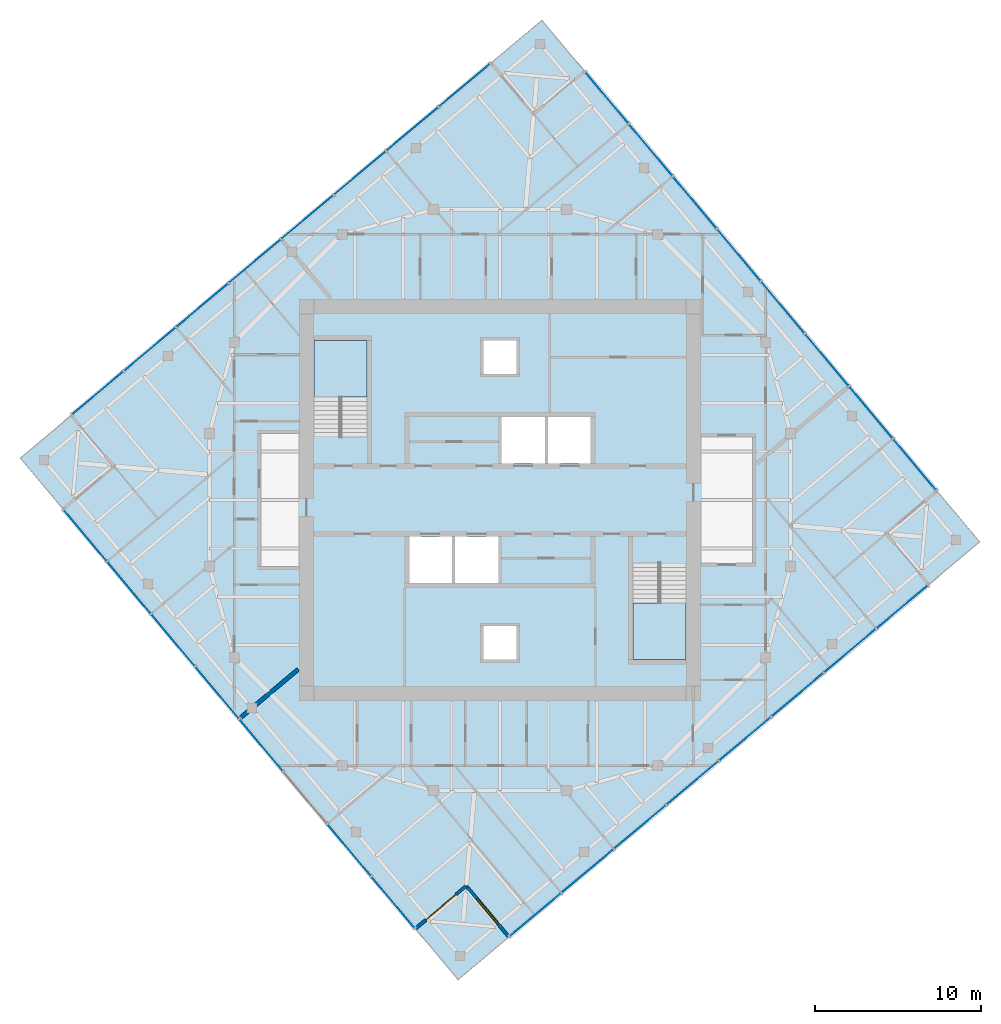
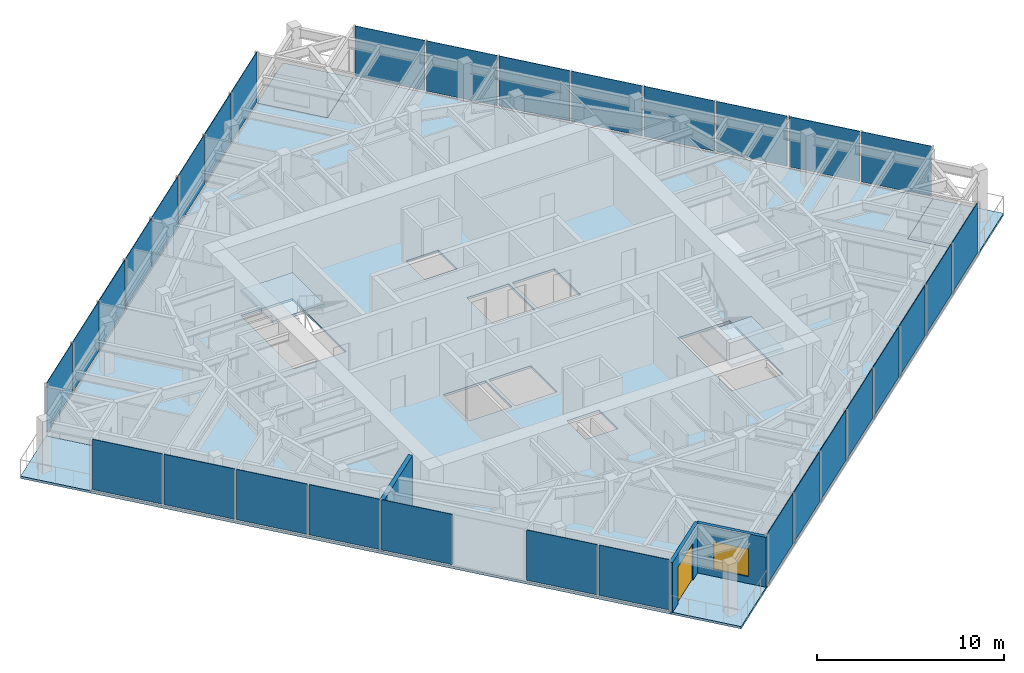
# One storey, part 6 of 12: 31 plates, 7 slabs, 3 walls, 1 door, 1 window, 2 openings, 6 elements without a shape of their own.
"""IFC4 building model written with IfcOpenShell, lengths in metres."""

from ifc_helpers import new_model, si_unit, direction, frame, frame_2d, origin, origin_2d, place, context, subcontext, project, spatial, polyline, rectangle, outline, extrude, material, layer, layer_set, type_object, element, fill, aggregate, save


model = new_model("IFC4")

# Units and contexts
model_context = context("Model", 3, precision=1e-05, world=origin(), true_north=direction((0.0, 1.0)))
body_context = subcontext(model_context, "Body", "Model", "MODEL_VIEW")
ifc_project = project(units=[si_unit("LENGTHUNIT", "METRE"), si_unit("AREAUNIT", "SQUARE_METRE"), si_unit("VOLUMEUNIT", "CUBIC_METRE"), si_unit("PLANEANGLEUNIT", "RADIAN"), si_unit("MASSUNIT", "GRAM", prefix="KILO")], contexts=[model_context])

# Site, building, storey
site_placement = place(None, origin())
site = spatial("IfcSite", under=ifc_project, at=site_placement, CompositionType="ELEMENT")
building_placement = place(site_placement, origin())
building = spatial("IfcBuilding", under=site, at=building_placement, Name="Torsade Residences", CompositionType="ELEMENT")
storey_placement = place(building_placement, frame((0.0, 0.0, 286.199951171875)))
storey = spatial("IfcBuildingStorey", under=building, at=storey_placement, Name="L79", CompositionType="ELEMENT", Elevation=286.199951171875)

# Slab
ifc_material_1 = material(Name="Concrete 40 MPa", Category="concrete")
ifc_layer_1 = layer(ifc_material_1, 0.14990234375)
ifc_layer_set_1 = layer_set([ifc_layer_1], Name="Concrete 40 MPa")
slab_type_1 = type_object("IfcSlabType", Name="COMPOSITE FLOOR SLAB 150", PredefinedType="FLOOR", material=ifc_layer_set_1)
slab_1_placement = place(storey_placement, frame((0.0, 0.0, -0.14990234375)))
element("IfcSlab", 1, at=slab_1_placement, inside=storey, type_object=slab_type_1, Name="Floor slab L79", PredefinedType="FLOOR", context=body_context, shape_type="SweptSolid", body=[
    extrude(outline(polyline([(40.537353515625, 3.690185546875), (65.81689453125, 24.902099609375), (63.245849609375, 27.96630859375), (66.309814453125, 30.537353515625), (45.097900390625, 55.81689453125), (42.03369140625, 53.245849609375), (39.462646484375, 56.309814453125), (14.18310546875, 35.097900390625), (16.754150390625, 32.03369140625), (13.690185546875, 29.462646484375), (34.902099609375, 4.18310546875), (37.96630859375, 6.754150390625), (40.537353515625, 3.690185546875)]), holes=[polyline([(51.199951171875, 26.1201171875), (48.0, 26.1201171875), (48.0, 20.39990234375), (51.199951171875, 20.39990234375), (51.199951171875, 26.1201171875)]), polyline([(45.5, 35.0), (42.89990234375, 35.0), (42.89990234375, 32.199951171875), (45.5, 32.199951171875), (45.5, 35.0)]), polyline([(42.699951171875, 35.0), (40.10009765625, 35.0), (40.10009765625, 32.199951171875), (42.699951171875, 32.199951171875), (42.699951171875, 35.0)]), polyline([(41.0, 22.39990234375), (39.0, 22.39990234375), (39.0, 20.39990234375), (41.0, 20.39990234375), (41.0, 22.39990234375)]), polyline([(41.0, 39.60009765625), (39.0, 39.60009765625), (39.0, 37.60009765625), (41.0, 37.60009765625), (41.0, 39.60009765625)]), polyline([(39.89990234375, 27.800048828125), (37.300048828125, 27.800048828125), (37.300048828125, 25.0), (39.89990234375, 25.0), (39.89990234375, 27.800048828125)]), polyline([(37.10009765625, 27.800048828125), (34.5, 27.800048828125), (34.5, 25.0), (37.10009765625, 25.0), (37.10009765625, 27.800048828125)]), polyline([(32.0, 39.60009765625), (28.800048828125, 39.60009765625), (28.800048828125, 33.8798828125), (32.0, 33.8798828125), (32.0, 39.60009765625)])]), origin(), (0.0, 0.0, 1.0), 0.14990234375),
])

# Curtain wall, plates
ifc_material_2 = material(Name="Aluminium and glass", Category="aluminium")
curtain_wall_type = type_object("IfcCurtainWallType", Name="FRITTED GLASS CURTAIN WALL HIGH ZONE", PredefinedType="NOTDEFINED", material=ifc_material_2)
curtain_wall_1_placement = place(storey_placement, origin())
curtain_wall_1 = element("IfcCurtainWall", 2, at=curtain_wall_1_placement, inside=storey, type_object=curtain_wall_type, Name="Curtain wall L79 face 1", PredefinedType="NOTDEFINED")
ifc_material_3 = material(Name="Laminated glass", Category="glass")
ifc_layer_2 = layer(ifc_material_3, 0.031982421875)
ifc_layer_set_2 = layer_set([ifc_layer_2], Name="Laminated glass")
plate_type_1 = type_object("IfcPlateType", Name="FRITTED GLASS PANEL", PredefinedType="CURTAIN_PANEL", material=ifc_layer_set_2)
plate_1_placement = place(storey_placement, frame((42.136474609375, 5.031982421875, 0.1201171875), z_axis=(0.0, 0.0, 1.0), x_axis=(0.766044437106, 0.642787616853, 0.0)))
plate_1 = element("IfcPlate", 3, at=plate_1_placement, type_object=plate_type_1, Name="Panel 1", PredefinedType="CURTAIN_PANEL", context=body_context, shape_type="SweptSolid", body=[
    extrude(rectangle(XDim=3.97509765625, YDim=0.031982421875, at=origin_2d()), origin(), (0.0, 0.0, 1.0), 3.280029296875),
])
plate_2_placement = place(storey_placement, frame((48.437255859375, 10.31884765625, 0.1201171875), z_axis=(0.0, 0.0, 1.0), x_axis=(0.766044437106, 0.642787616853, 0.0)))
plate_2 = element("IfcPlate", 4, at=plate_2_placement, type_object=plate_type_1, Name="Panel 3", PredefinedType="CURTAIN_PANEL", context=body_context, shape_type="SweptSolid", body=[
    extrude(rectangle(XDim=4.02490234375, YDim=0.031982421875, at=origin_2d()), origin(), (0.0, 0.0, 1.0), 3.280029296875),
])
plate_3_placement = place(storey_placement, frame((51.59716796875, 12.970458984375, 0.1201171875), z_axis=(0.0, 0.0, 1.0), x_axis=(0.766044437106, 0.642787616853, 0.0)))
plate_3 = element("IfcPlate", 5, at=plate_3_placement, type_object=plate_type_1, Name="Panel 4", PredefinedType="CURTAIN_PANEL", context=body_context, shape_type="SweptSolid", body=[
    extrude(rectangle(XDim=4.02490234375, YDim=0.031982421875, at=origin_2d()), origin(), (0.0, 0.0, 1.0), 3.280029296875),
])
plate_4_placement = place(storey_placement, frame((54.757080078125, 15.621826171875, 0.1201171875), z_axis=(0.0, 0.0, 1.0), x_axis=(0.766044437106, 0.642787616853, 0.0)))
plate_4 = element("IfcPlate", 6, at=plate_4_placement, type_object=plate_type_1, Name="Panel 5", PredefinedType="CURTAIN_PANEL", context=body_context, shape_type="SweptSolid", body=[
    extrude(rectangle(XDim=4.02490234375, YDim=0.031982421875, at=origin_2d()), origin(), (0.0, 0.0, 1.0), 3.280029296875),
])
plate_5_placement = place(storey_placement, frame((61.076904296875, 20.9248046875, 0.1201171875), z_axis=(0.0, 0.0, 1.0), x_axis=(0.766044437106, 0.642787616853, 0.0)))
plate_5 = element("IfcPlate", 7, at=plate_5_placement, type_object=plate_type_1, Name="Panel 7", PredefinedType="CURTAIN_PANEL", context=body_context, shape_type="SweptSolid", body=[
    extrude(rectangle(XDim=4.02490234375, YDim=0.031982421875, at=origin_2d()), origin(), (0.0, 0.0, 1.0), 3.280029296875),
])
plate_6_placement = place(storey_placement, frame((64.2177734375, 23.560302734375, 0.1201171875), z_axis=(0.0, 0.0, 1.0), x_axis=(0.766044437106, 0.642787616853, 0.0)))
plate_6 = element("IfcPlate", 8, at=plate_6_placement, type_object=plate_type_1, Name="Panel 8", PredefinedType="CURTAIN_PANEL", context=body_context, shape_type="SweptSolid", body=[
    extrude(rectangle(XDim=3.97509765625, YDim=0.031982421875, at=origin_2d()), origin(), (0.0, 0.0, 1.0), 3.280029296875),
])

curtain_wall_2_placement = place(storey_placement, origin())
curtain_wall_2 = element("IfcCurtainWall", 9, at=curtain_wall_2_placement, inside=storey, type_object=curtain_wall_type, Name="Curtain wall L79 face 4", PredefinedType="NOTDEFINED")
plate_7_placement = place(storey_placement, frame((64.968017578125, 32.136474609375, 0.1201171875), z_axis=(0.0, 0.0, 1.0), x_axis=(-0.642787616853, 0.766044437106, 0.0)))
plate_7 = element("IfcPlate", 10, at=plate_7_placement, type_object=plate_type_1, Name="Panel 1", PredefinedType="CURTAIN_PANEL", context=body_context, shape_type="SweptSolid", body=[
    extrude(rectangle(XDim=3.97509765625, YDim=0.031982421875, at=origin_2d()), origin(), (0.0, 0.0, 1.0), 3.280029296875),
])
plate_8_placement = place(storey_placement, frame((59.68115234375, 38.437255859375, 0.1201171875), z_axis=(0.0, 0.0, 1.0), x_axis=(-0.642787616853, 0.766044437106, 0.0)))
plate_8 = element("IfcPlate", 11, at=plate_8_placement, type_object=plate_type_1, Name="Panel 3", PredefinedType="CURTAIN_PANEL", context=body_context, shape_type="SweptSolid", body=[
    extrude(rectangle(XDim=4.02490234375, YDim=0.031982421875, at=origin_2d()), origin(), (0.0, 0.0, 1.0), 3.280029296875),
])
plate_9_placement = place(storey_placement, frame((57.029541015625, 41.59716796875, 0.1201171875), z_axis=(0.0, 0.0, 1.0), x_axis=(-0.642787616853, 0.766044437106, 0.0)))
plate_9 = element("IfcPlate", 12, at=plate_9_placement, type_object=plate_type_1, Name="Panel 4", PredefinedType="CURTAIN_PANEL", context=body_context, shape_type="SweptSolid", body=[
    extrude(rectangle(XDim=4.02490234375, YDim=0.031982421875, at=origin_2d()), origin(), (0.0, 0.0, 1.0), 3.280029296875),
])
plate_10_placement = place(storey_placement, frame((54.378173828125, 44.757080078125, 0.1201171875), z_axis=(0.0, 0.0, 1.0), x_axis=(-0.642787616853, 0.766044437106, 0.0)))
plate_10 = element("IfcPlate", 13, at=plate_10_placement, type_object=plate_type_1, Name="Panel 5", PredefinedType="CURTAIN_PANEL", context=body_context, shape_type="SweptSolid", body=[
    extrude(rectangle(XDim=4.02490234375, YDim=0.031982421875, at=origin_2d()), origin(), (0.0, 0.0, 1.0), 3.280029296875),
])
plate_11_placement = place(storey_placement, frame((49.0751953125, 51.076904296875, 0.1201171875), z_axis=(0.0, 0.0, 1.0), x_axis=(-0.642787616853, 0.766044437106, 0.0)))
plate_11 = element("IfcPlate", 14, at=plate_11_placement, type_object=plate_type_1, Name="Panel 7", PredefinedType="CURTAIN_PANEL", context=body_context, shape_type="SweptSolid", body=[
    extrude(rectangle(XDim=4.02490234375, YDim=0.031982421875, at=origin_2d()), origin(), (0.0, 0.0, 1.0), 3.280029296875),
])
plate_12_placement = place(storey_placement, frame((46.439697265625, 54.2177734375, 0.1201171875), z_axis=(0.0, 0.0, 1.0), x_axis=(-0.642787616853, 0.766044437106, 0.0)))
plate_12 = element("IfcPlate", 15, at=plate_12_placement, type_object=plate_type_1, Name="Panel 8", PredefinedType="CURTAIN_PANEL", context=body_context, shape_type="SweptSolid", body=[
    extrude(rectangle(XDim=3.97509765625, YDim=0.031982421875, at=origin_2d()), origin(), (0.0, 0.0, 1.0), 3.280029296875),
])

curtain_wall_3_placement = place(storey_placement, origin())
curtain_wall_3 = element("IfcCurtainWall", 16, at=curtain_wall_3_placement, inside=storey, type_object=curtain_wall_type, Name="Curtain wall L79 face 7", PredefinedType="NOTDEFINED")
plate_13_placement = place(storey_placement, frame((37.863525390625, 54.968017578125, 0.1201171875), z_axis=(0.0, 0.0, 1.0), x_axis=(-0.766044437106, -0.642787616853, 0.0)))
plate_13 = element("IfcPlate", 17, at=plate_13_placement, type_object=plate_type_1, Name="Panel 1", PredefinedType="CURTAIN_PANEL", context=body_context, shape_type="SweptSolid", body=[
    extrude(rectangle(XDim=3.97509765625, YDim=0.031982421875, at=origin_2d()), origin(), (0.0, 0.0, 1.0), 3.280029296875),
])
plate_14_placement = place(storey_placement, frame((31.562744140625, 49.68115234375, 0.1201171875), z_axis=(0.0, 0.0, 1.0), x_axis=(-0.766044437106, -0.642787616853, 0.0)))
plate_14 = element("IfcPlate", 18, at=plate_14_placement, type_object=plate_type_1, Name="Panel 3", PredefinedType="CURTAIN_PANEL", context=body_context, shape_type="SweptSolid", body=[
    extrude(rectangle(XDim=4.02490234375, YDim=0.031982421875, at=origin_2d()), origin(), (0.0, 0.0, 1.0), 3.280029296875),
])
plate_15_placement = place(storey_placement, frame((28.40283203125, 47.029541015625, 0.1201171875), z_axis=(0.0, 0.0, 1.0), x_axis=(-0.766044437106, -0.642787616853, 0.0)))
plate_15 = element("IfcPlate", 19, at=plate_15_placement, type_object=plate_type_1, Name="Panel 4", PredefinedType="CURTAIN_PANEL", context=body_context, shape_type="SweptSolid", body=[
    extrude(rectangle(XDim=4.02490234375, YDim=0.031982421875, at=origin_2d()), origin(), (0.0, 0.0, 1.0), 3.280029296875),
])
plate_16_placement = place(storey_placement, frame((25.242919921875, 44.378173828125, 0.1201171875), z_axis=(0.0, 0.0, 1.0), x_axis=(-0.766044437106, -0.642787616853, 0.0)))
plate_16 = element("IfcPlate", 20, at=plate_16_placement, type_object=plate_type_1, Name="Panel 5", PredefinedType="CURTAIN_PANEL", context=body_context, shape_type="SweptSolid", body=[
    extrude(rectangle(XDim=4.02490234375, YDim=0.031982421875, at=origin_2d()), origin(), (0.0, 0.0, 1.0), 3.280029296875),
])
plate_17_placement = place(storey_placement, frame((18.923095703125, 39.0751953125, 0.1201171875), z_axis=(0.0, 0.0, 1.0), x_axis=(-0.766044437106, -0.642787616853, 0.0)))
plate_17 = element("IfcPlate", 21, at=plate_17_placement, type_object=plate_type_1, Name="Panel 7", PredefinedType="CURTAIN_PANEL", context=body_context, shape_type="SweptSolid", body=[
    extrude(rectangle(XDim=4.02490234375, YDim=0.031982421875, at=origin_2d()), origin(), (0.0, 0.0, 1.0), 3.280029296875),
])
plate_18_placement = place(storey_placement, frame((15.7822265625, 36.439697265625, 0.1201171875), z_axis=(0.0, 0.0, 1.0), x_axis=(-0.766044437106, -0.642787616853, 0.0)))
plate_18 = element("IfcPlate", 22, at=plate_18_placement, type_object=plate_type_1, Name="Panel 8", PredefinedType="CURTAIN_PANEL", context=body_context, shape_type="SweptSolid", body=[
    extrude(rectangle(XDim=3.97509765625, YDim=0.031982421875, at=origin_2d()), origin(), (0.0, 0.0, 1.0), 3.280029296875),
])

curtain_wall_4_placement = place(storey_placement, origin())
curtain_wall_4 = element("IfcCurtainWall", 23, at=curtain_wall_4_placement, inside=storey, type_object=curtain_wall_type, Name="Curtain wall L79 face 10", PredefinedType="NOTDEFINED")
plate_19_placement = place(storey_placement, frame((15.031982421875, 27.863525390625, 0.1201171875), z_axis=(0.0, 0.0, 1.0), x_axis=(0.642787616853, -0.766044437106, 0.0)))
plate_19 = element("IfcPlate", 24, at=plate_19_placement, type_object=plate_type_1, Name="Panel 1", PredefinedType="CURTAIN_PANEL", context=body_context, shape_type="SweptSolid", body=[
    extrude(rectangle(XDim=3.97509765625, YDim=0.031982421875, at=origin_2d()), origin(), (0.0, 0.0, 1.0), 3.280029296875),
])
plate_20_placement = place(storey_placement, frame((20.31884765625, 21.562744140625, 0.1201171875), z_axis=(0.0, 0.0, 1.0), x_axis=(0.642787616853, -0.766044437106, 0.0)))
plate_20 = element("IfcPlate", 25, at=plate_20_placement, type_object=plate_type_1, Name="Panel 3", PredefinedType="CURTAIN_PANEL", context=body_context, shape_type="SweptSolid", body=[
    extrude(rectangle(XDim=4.02490234375, YDim=0.031982421875, at=origin_2d()), origin(), (0.0, 0.0, 1.0), 3.280029296875),
])
plate_21_placement = place(storey_placement, frame((22.970458984375, 18.40283203125, 0.1201171875), z_axis=(0.0, 0.0, 1.0), x_axis=(0.642787616853, -0.766044437106, 0.0)))
plate_21 = element("IfcPlate", 26, at=plate_21_placement, type_object=plate_type_1, Name="Panel 4", PredefinedType="CURTAIN_PANEL", context=body_context, shape_type="SweptSolid", body=[
    extrude(rectangle(XDim=4.02490234375, YDim=0.031982421875, at=origin_2d()), origin(), (0.0, 0.0, 1.0), 3.280029296875),
])
plate_22_placement = place(storey_placement, frame((25.621826171875, 15.242919921875, 0.1201171875), z_axis=(0.0, 0.0, 1.0), x_axis=(0.642787616853, -0.766044437106, 0.0)))
plate_22 = element("IfcPlate", 27, at=plate_22_placement, type_object=plate_type_1, Name="Panel 5", PredefinedType="CURTAIN_PANEL", context=body_context, shape_type="SweptSolid", body=[
    extrude(rectangle(XDim=4.02490234375, YDim=0.031982421875, at=origin_2d()), origin(), (0.0, 0.0, 1.0), 3.280029296875),
])
plate_23_placement = place(storey_placement, frame((30.9248046875, 8.923095703125, 0.1201171875), z_axis=(0.0, 0.0, 1.0), x_axis=(0.642787616853, -0.766044437106, 0.0)))
plate_23 = element("IfcPlate", 28, at=plate_23_placement, type_object=plate_type_1, Name="Panel 7", PredefinedType="CURTAIN_PANEL", context=body_context, shape_type="SweptSolid", body=[
    extrude(rectangle(XDim=4.02490234375, YDim=0.031982421875, at=origin_2d()), origin(), (0.0, 0.0, 1.0), 3.280029296875),
])
plate_24_placement = place(storey_placement, frame((33.560302734375, 5.7822265625, 0.1201171875), z_axis=(0.0, 0.0, 1.0), x_axis=(0.642787616853, -0.766044437106, 0.0)))
plate_24 = element("IfcPlate", 29, at=plate_24_placement, type_object=plate_type_1, Name="Panel 8", PredefinedType="CURTAIN_PANEL", context=body_context, shape_type="SweptSolid", body=[
    extrude(rectangle(XDim=3.97509765625, YDim=0.031982421875, at=origin_2d()), origin(), (0.0, 0.0, 1.0), 3.280029296875),
])

# Plate
ifc_material_4 = material(Name="Laminated glass", Category="glass")
ifc_layer_3 = layer(ifc_material_4, 0.0400390625)
ifc_layer_set_3 = layer_set([ifc_layer_3], Name="Laminated glass")
plate_type_2 = type_object("IfcPlateType", Name="OPERABLE VENT PANEL", PredefinedType="CURTAIN_PANEL", material=ifc_layer_set_3)
plate_25_placement = place(storey_placement, frame((45.27734375, 7.667236328125, 0.1201171875), z_axis=(0.0, 0.0, 1.0), x_axis=(0.766044437106, 0.642787616853, 0.0)))
plate_25 = element("IfcPlate", 30, at=plate_25_placement, type_object=plate_type_2, Name="Panel 2", PredefinedType="CURTAIN_PANEL", context=body_context, shape_type="SweptSolid", body=[
    extrude(rectangle(XDim=4.02490234375, YDim=0.0400390625, at=origin_2d()), origin(), (0.0, 0.0, 1.0), 3.280029296875),
])

plate_26_placement = place(storey_placement, frame((57.9169921875, 18.2734375, 0.1201171875), z_axis=(0.0, 0.0, 1.0), x_axis=(0.766044437106, 0.642787616853, 0.0)))
plate_26 = element("IfcPlate", 31, at=plate_26_placement, type_object=plate_type_2, Name="Panel 6", PredefinedType="CURTAIN_PANEL", context=body_context, shape_type="SweptSolid", body=[
    extrude(rectangle(XDim=4.02490234375, YDim=0.0400390625, at=origin_2d()), origin(), (0.0, 0.0, 1.0), 3.280029296875),
])

aggregate(curtain_wall_1, [plate_1, plate_25, plate_2, plate_3, plate_4, plate_26, plate_5, plate_6])

plate_27_placement = place(storey_placement, frame((62.332763671875, 35.27734375, 0.1201171875), z_axis=(0.0, 0.0, 1.0), x_axis=(-0.642787616853, 0.766044437106, 0.0)))
plate_27 = element("IfcPlate", 32, at=plate_27_placement, type_object=plate_type_2, Name="Panel 2", PredefinedType="CURTAIN_PANEL", context=body_context, shape_type="SweptSolid", body=[
    extrude(rectangle(XDim=4.02490234375, YDim=0.0400390625, at=origin_2d()), origin(), (0.0, 0.0, 1.0), 3.280029296875),
])

plate_28_placement = place(storey_placement, frame((51.7265625, 47.9169921875, 0.1201171875), z_axis=(0.0, 0.0, 1.0), x_axis=(-0.642787616853, 0.766044437106, 0.0)))
plate_28 = element("IfcPlate", 33, at=plate_28_placement, type_object=plate_type_2, Name="Panel 6", PredefinedType="CURTAIN_PANEL", context=body_context, shape_type="SweptSolid", body=[
    extrude(rectangle(XDim=4.02490234375, YDim=0.0400390625, at=origin_2d()), origin(), (0.0, 0.0, 1.0), 3.280029296875),
])

aggregate(curtain_wall_2, [plate_7, plate_27, plate_8, plate_9, plate_10, plate_28, plate_11, plate_12])

plate_29_placement = place(storey_placement, frame((34.72265625, 52.332763671875, 0.1201171875), z_axis=(0.0, 0.0, 1.0), x_axis=(-0.766044437106, -0.642787616853, 0.0)))
plate_29 = element("IfcPlate", 34, at=plate_29_placement, type_object=plate_type_2, Name="Panel 2", PredefinedType="CURTAIN_PANEL", context=body_context, shape_type="SweptSolid", body=[
    extrude(rectangle(XDim=4.02490234375, YDim=0.0400390625, at=origin_2d()), origin(), (0.0, 0.0, 1.0), 3.280029296875),
])

plate_30_placement = place(storey_placement, frame((22.0830078125, 41.7265625, 0.1201171875), z_axis=(0.0, 0.0, 1.0), x_axis=(-0.766044437106, -0.642787616853, 0.0)))
plate_30 = element("IfcPlate", 35, at=plate_30_placement, type_object=plate_type_2, Name="Panel 6", PredefinedType="CURTAIN_PANEL", context=body_context, shape_type="SweptSolid", body=[
    extrude(rectangle(XDim=4.02490234375, YDim=0.0400390625, at=origin_2d()), origin(), (0.0, 0.0, 1.0), 3.280029296875),
])

aggregate(curtain_wall_3, [plate_13, plate_29, plate_14, plate_15, plate_16, plate_30, plate_17, plate_18])

plate_31_placement = place(storey_placement, frame((17.667236328125, 24.72265625, 0.1201171875), z_axis=(0.0, 0.0, 1.0), x_axis=(0.642787616853, -0.766044437106, 0.0)))
plate_31 = element("IfcPlate", 36, at=plate_31_placement, type_object=plate_type_2, Name="Panel 2", PredefinedType="CURTAIN_PANEL", context=body_context, shape_type="SweptSolid", body=[
    extrude(rectangle(XDim=4.02490234375, YDim=0.0400390625, at=origin_2d()), origin(), (0.0, 0.0, 1.0), 3.280029296875),
])

aggregate(curtain_wall_4, [plate_19, plate_31, plate_20, plate_21, plate_22, plate_23, plate_24])

# Stair, slab
ifc_material_5 = material(Name="Precast concrete 40 MPa", Category="concrete")
stair_type = type_object("IfcStairType", Name="HALF-TURN FIRE STAIR 1500x3400", PredefinedType="HALF_TURN_STAIR", material=ifc_material_5)
stair_1_placement = place(storey_placement, origin())
stair_1 = element("IfcStair", 37, at=stair_1_placement, inside=storey, type_object=stair_type, Name="Stair ST1 L79", PredefinedType="HALF_TURN_STAIR")
ifc_material_6 = material(Name="Precast concrete 40 MPa", Category="concrete")
ifc_layer_4 = layer(ifc_material_6, 0.179931640625)
ifc_layer_set_4 = layer_set([ifc_layer_4], Name="Precast concrete 40 MPa")
slab_type_2 = type_object("IfcSlabType", Name="PRECAST STAIR LANDING 180", PredefinedType="LANDING", material=ifc_layer_set_4)
slab_2_placement = place(storey_placement, frame((0.0, 0.0, 1.52001953125)))
slab_2 = element("IfcSlab", 38, at=slab_2_placement, type_object=slab_type_2, Name="ST1 landing 1", PredefinedType="LANDING", context=body_context, shape_type="SweptSolid", body=[
    extrude(outline(polyline([(28.800048828125, 36.2099609375), (32.0, 36.2099609375), (32.0, 39.60009765625), (28.800048828125, 39.60009765625), (28.800048828125, 36.2099609375)])), origin(), (0.0, 0.0, 1.0), 0.179931640625),
])
aggregate(stair_1, [slab_2])

stair_2_placement = place(storey_placement, origin())
stair_2 = element("IfcStair", 39, at=stair_2_placement, inside=storey, type_object=stair_type, Name="Stair ST2 L79", PredefinedType="HALF_TURN_STAIR")
slab_3_placement = place(storey_placement, frame((0.0, 0.0, 1.52001953125)))
slab_3 = element("IfcSlab", 40, at=slab_3_placement, type_object=slab_type_2, Name="ST2 landing 1", PredefinedType="LANDING", context=body_context, shape_type="SweptSolid", body=[
    extrude(outline(polyline([(48.0, 20.39990234375), (51.199951171875, 20.39990234375), (51.199951171875, 23.7900390625), (48.0, 23.7900390625), (48.0, 20.39990234375)])), origin(), (0.0, 0.0, 1.0), 0.179931640625),
])
aggregate(stair_2, [slab_3])

# Slabs
ifc_material_7 = material(Name="Concrete 40 MPa", Category="concrete")
ifc_layer_5 = layer(ifc_material_7, 0.14990234375)
ifc_layer_set_5 = layer_set([ifc_layer_5], Name="Concrete 40 MPa")
slab_type_3 = type_object("IfcSlabType", Name="TERRACE SLAB 150", PredefinedType="FLOOR", material=ifc_layer_set_5)
slab_4_placement = place(storey_placement, frame((0.0, 0.0, -0.14990234375)))
element("IfcSlab", 41, at=slab_4_placement, inside=storey, type_object=slab_type_3, Name="Corner terrace slab SE L79", PredefinedType="FLOOR", context=body_context, shape_type="SweptSolid", body=[
    extrude(outline(polyline([(65.81689453125, 24.902099609375), (68.881103515625, 27.47314453125), (66.309814453125, 30.537353515625), (63.245849609375, 27.96630859375), (65.81689453125, 24.902099609375)])), origin(), (0.0, 0.0, 1.0), 0.14990234375),
])
slab_5_placement = place(storey_placement, frame((0.0, 0.0, -0.14990234375)))
element("IfcSlab", 42, at=slab_5_placement, inside=storey, type_object=slab_type_3, Name="Corner terrace slab NE L79", PredefinedType="FLOOR", context=body_context, shape_type="SweptSolid", body=[
    extrude(outline(polyline([(42.03369140625, 53.245849609375), (45.097900390625, 55.81689453125), (42.52685546875, 58.881103515625), (39.462646484375, 56.309814453125), (42.03369140625, 53.245849609375)])), origin(), (0.0, 0.0, 1.0), 0.14990234375),
])
slab_6_placement = place(storey_placement, frame((0.0, 0.0, -0.14990234375)))
element("IfcSlab", 43, at=slab_6_placement, inside=storey, type_object=slab_type_3, Name="Corner terrace slab NW L79", PredefinedType="FLOOR", context=body_context, shape_type="SweptSolid", body=[
    extrude(outline(polyline([(13.690185546875, 29.462646484375), (16.754150390625, 32.03369140625), (14.18310546875, 35.097900390625), (11.118896484375, 32.52685546875), (13.690185546875, 29.462646484375)])), origin(), (0.0, 0.0, 1.0), 0.14990234375),
])
slab_7_placement = place(storey_placement, frame((0.0, 0.0, -0.14990234375)))
element("IfcSlab", 44, at=slab_7_placement, inside=storey, type_object=slab_type_3, Name="Corner terrace slab SW L79", PredefinedType="FLOOR", context=body_context, shape_type="SweptSolid", body=[
    extrude(outline(polyline([(37.47314453125, 1.118896484375), (40.537353515625, 3.690185546875), (37.96630859375, 6.754150390625), (34.902099609375, 4.18310546875), (37.47314453125, 1.118896484375)])), origin(), (0.0, 0.0, 1.0), 0.14990234375),
])

# Wall
ifc_material_8 = material(Name="Masonry-lined stud party wall", Category="masonry")
ifc_layer_6 = layer(ifc_material_8, 0.25)
ifc_layer_set_6 = layer_set([ifc_layer_6], Name="Masonry-lined stud party wall")
wall_type_1 = type_object("IfcWallType", Name="PARTY WALL 250", PredefinedType="PARTITIONING", material=ifc_layer_set_6)
wall_1_placement = place(storey_placement, frame((24.296142578125, 16.82275390625, 0.0), z_axis=(0.0, 0.0, 1.0), x_axis=(0.76603440109, 0.64279957712, 0.0)))
element("IfcWall", 45, at=wall_1_placement, inside=storey, type_object=wall_type_1, Name="Party wall L79", PredefinedType="PARTITIONING", context=body_context, shape_type="SweptSolid", body=[
    extrude(rectangle(XDim=4.6396484375, YDim=0.25, at=frame_2d((2.31982421875, 0.0))), origin(), (0.0, 0.0, 1.0), 3.25),
])

# Wall, opening, door
ifc_material_9 = material(Name="Stone-faced precast concrete 40 MPa panel", Category="masonry")
ifc_layer_7 = layer(ifc_material_9, 0.199951171875)
ifc_layer_set_7 = layer_set([ifc_layer_7], Name="Stone-faced precast concrete 40 MPa panel")
wall_type_2 = type_object("IfcWallType", Name="TERRACE WALL 200", PredefinedType="SOLIDWALL", material=ifc_layer_set_7)
wall_2_placement = place(storey_placement, frame((34.902099609375, 4.18310546875, 0.0), z_axis=(0.0, 0.0, 1.0), x_axis=(0.766060656284, 0.642768287094, 0.0)))
wall_2 = element("IfcWall", 46, at=wall_2_placement, inside=storey, type_object=wall_type_2, Name="Terrace wall L79 11", PredefinedType="SOLIDWALL", context=body_context, shape_type="SweptSolid", body=[
    extrude(rectangle(XDim=4.0, YDim=0.199951171875, at=frame_2d((2.0, 0.0))), origin(), (0.0, 0.0, 1.0), 3.25),
])
opening_1_placement = place(wall_2_placement, frame((0.800048828125, 0.0, 0.0)))
opening_1 = element("IfcOpeningElement", 47, at=opening_1_placement, cuts=wall_2, Name="Opening D10", PredefinedType="OPENING", context=body_context, shape_type="SweptSolid", body=[
    extrude(rectangle(XDim=2.39990234375, YDim=2.39990234375, at=frame_2d((1.199951171875, 1.199951171875))), frame((0.0, 0.10986328125, 0.0), z_axis=(0.0, -1.0, 0.0), x_axis=(1.0, 0.0, 0.0)), (0.0, 0.0, 1.0), 0.219970703125),
])
ifc_material_10 = material(Name="Aluminium-framed glass door", Category="aluminium")
door_type = type_object("IfcDoorType", Name="TERRACE SLIDING DOOR 2400", OperationType="SLIDING_TO_LEFT", PredefinedType="DOOR", material=ifc_material_10)
door_placement = place(opening_1_placement, origin())
door = element("IfcDoor", 48, at=door_placement, inside=storey, type_object=door_type, Name="Terrace door L79 11", OperationType="SLIDING_TO_LEFT", OverallHeight=2.39990234375, OverallWidth=2.39990234375, PredefinedType="DOOR", context=body_context, shape_type="SweptSolid", body=[
    extrude(rectangle(XDim=2.39990234375, YDim=2.39990234375, at=frame_2d((1.199951171875, 1.199951171875))), frame((0.0, 0.02490234375, 0.0), z_axis=(0.0, -1.0, 0.0), x_axis=(1.0, 0.0, 0.0)), (0.0, 0.0, 1.0), 0.050048828125),
])
fill(opening_1, door)

# Wall, opening, window
wall_3_placement = place(storey_placement, frame((37.96630859375, 6.754150390625, 0.0), z_axis=(0.0, 0.0, 1.0), x_axis=(0.642798342015, -0.766035437498, 0.0)))
wall_3 = element("IfcWall", 49, at=wall_3_placement, inside=storey, type_object=wall_type_2, Name="Terrace wall L79 12", PredefinedType="SOLIDWALL", context=body_context, shape_type="SweptSolid", body=[
    extrude(rectangle(XDim=3.999755859375, YDim=0.199951171875, at=frame_2d((2.0, 0.0))), origin(), (0.0, 0.0, 1.0), 3.25),
])
opening_2_placement = place(wall_3_placement, frame((1.0, 0.0, 0.449951171875)))
opening_2 = element("IfcOpeningElement", 50, at=opening_2_placement, cuts=wall_3, Name="Opening W1B", PredefinedType="OPENING", context=body_context, shape_type="SweptSolid", body=[
    extrude(rectangle(XDim=2.0, YDim=1.800048828125, at=frame_2d((1.0, 0.89990234375))), frame((0.0, 0.10986328125, 0.0), z_axis=(0.0, -1.0, 0.0), x_axis=(1.0, 0.0, 0.0)), (0.0, 0.0, 1.0), 0.219970703125),
])
ifc_material_11 = material(Name="Aluminium-framed glass window", Category="aluminium")
window_type = type_object("IfcWindowType", Name="TERRACE WINDOW 2000x1800", PartitioningType="SINGLE_PANEL", PredefinedType="WINDOW", material=ifc_material_11)
window_placement = place(opening_2_placement, origin())
window = element("IfcWindow", 51, at=window_placement, inside=storey, type_object=window_type, Name="Terrace window L79 12", OverallHeight=1.800048828125, OverallWidth=2.0, PartitioningType="SINGLE_PANEL", PredefinedType="WINDOW", context=body_context, shape_type="SweptSolid", body=[
    extrude(rectangle(XDim=2.0, YDim=1.800048828125, at=frame_2d((1.0, 0.89990234375))), frame((0.0, 0.030029296875, 0.0), z_axis=(0.0, -1.0, 0.0), x_axis=(1.0, 0.0, 0.0)), (0.0, 0.0, 1.0), 0.06005859375),
])
fill(opening_2, window)

save(model, "model.ifc")
